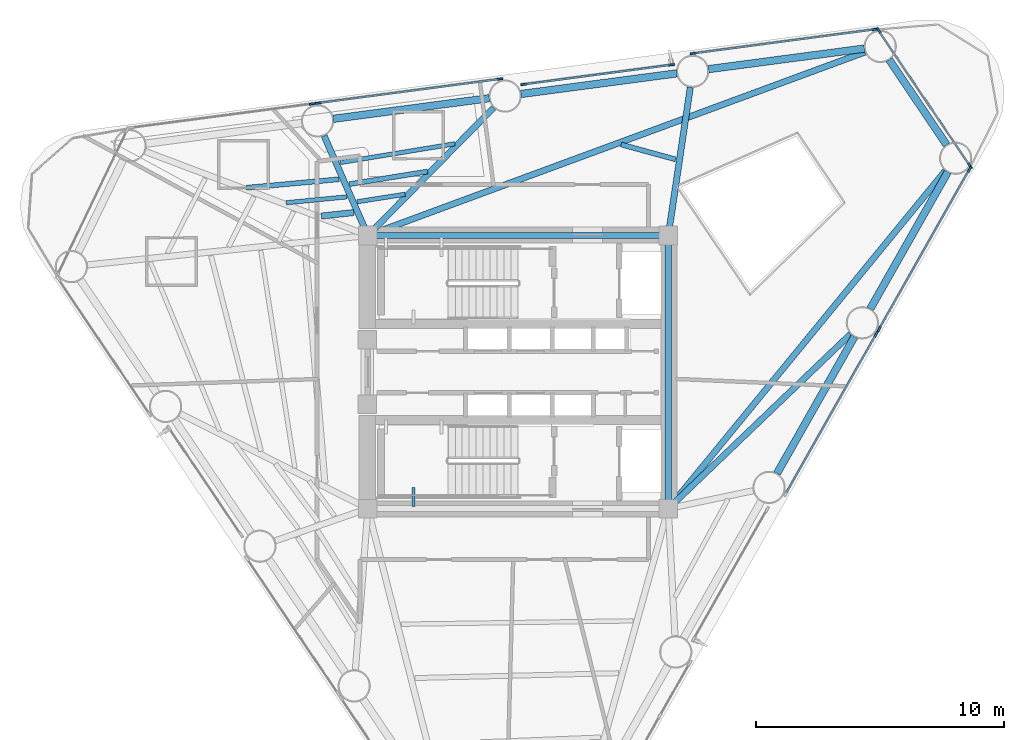
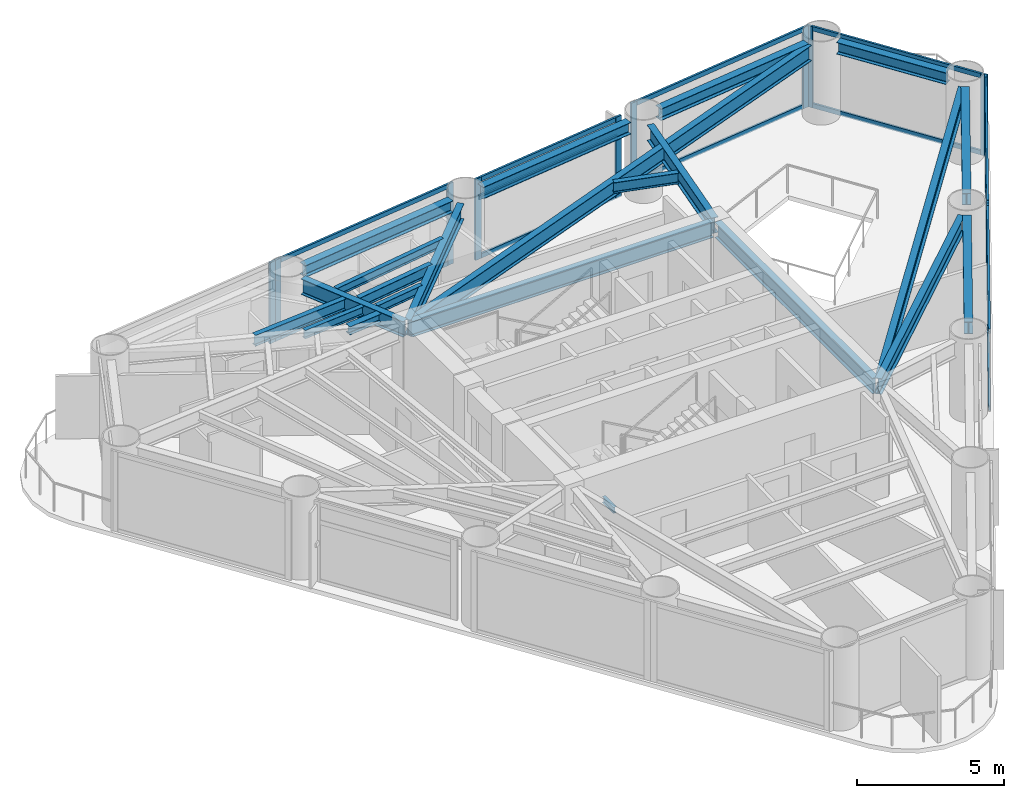
# One storey, part 3 of 9: 25 members, 22 beams, 7 elements without a shape of their own.
"""IFC4 building model written with IfcOpenShell, lengths in metres."""

import ifcopenshell
import ifcopenshell.guid

model = None  # the IFC model being written
_history = None  # IfcOwnerHistory: only IFC2X3 demands one
_inside = {}  # id of a spatial element -> (the spatial element, [elements in it])
_under = {}  # id of a project, library or spatial element -> (it, [spatial elements below it])
_declared = {}  # id of a project -> (the project, [libraries it declares])
_typed = {}  # id of a type object -> (the type object, [elements of that type])
_made_of = {}  # id of a material, layer set ... -> (it, [elements and type objects made of it])


def new_model(schema):
    """Start an empty IFC model of exactly this schema.

    Asked for "IFC4X3", IfcOpenShell would pick the latest addendum, in which some entities
    have other attributes; the version numbers below select the first issue.
    IFC2X3 requires an IfcOwnerHistory on every rooted entity: one is made here for all.
    """
    global model, _history
    if schema == "IFC4X3":
        model = ifcopenshell.file(schema_version=(4, 3, 0, 0))
    else:
        model = ifcopenshell.file(schema=schema)
    _inside.clear()
    _under.clear()
    _declared.clear()
    _typed.clear()
    _made_of.clear()
    _history = None
    if model.schema == "IFC2X3":
        org = make("IfcOrganization", Name="unknown")
        user = make(
            "IfcPersonAndOrganization",
            ThePerson=make("IfcPerson", FamilyName="unknown"),
            TheOrganization=org,
        )
        app = make(
            "IfcApplication",
            ApplicationDeveloper=org,
            Version="unknown",
            ApplicationFullName="unknown",
            ApplicationIdentifier="unknown",
        )
        _history = make(
            "IfcOwnerHistory",
            OwningUser=user,
            OwningApplication=app,
            ChangeAction="ADDED",
            CreationDate=0,
        )
    return model


def make(cls, **values):
    """One entity of the class cls with the attributes given. An attribute that is None is left unset."""
    return model.create_entity(
        cls, **{name: value for name, value in values.items() if value is not None}
    )


def rooted(cls, **values):
    """An entity with a GlobalId (a new one), such as an element, a storey or a relation."""
    return make(cls, GlobalId=ifcopenshell.guid.new(), OwnerHistory=_history, **values)


def si_unit(unit_type, name, prefix=None):
    """IfcSIUnit, for example si_unit("LENGTHUNIT", "METRE", prefix="MILLI")."""
    return make("IfcSIUnit", UnitType=unit_type, Prefix=prefix, Name=name)


def assignment(units):
    """IfcUnitAssignment: the units of a project."""
    return None if units is None else make("IfcUnitAssignment", Units=units)


def point(xyz):
    """IfcCartesianPoint."""
    return None if xyz is None else make("IfcCartesianPoint", Coordinates=xyz)


def direction(xyz):
    """IfcDirection."""
    return None if xyz is None else make("IfcDirection", DirectionRatios=xyz)


def frame(location, z_axis=None, x_axis=None):
    """IfcAxis2Placement3D, a coordinate frame: its origin and axes. An axis left out is left unset."""
    return make(
        "IfcAxis2Placement3D",
        Location=point(location),
        Axis=direction(z_axis),
        RefDirection=direction(x_axis),
    )


def frame_2d(location, x_axis=None):
    """IfcAxis2Placement2D, a coordinate frame in the plane: its origin and x axis."""
    return make(
        "IfcAxis2Placement2D", Location=point(location), RefDirection=direction(x_axis)
    )


def origin():
    """The frame at (0, 0, 0) with its axes left unset."""
    return frame((0.0, 0.0, 0.0))


def origin_2d():
    """The frame at (0, 0) in the plane with its x axis left unset."""
    return frame_2d((0.0, 0.0))


def place(relative_to, where):
    """IfcLocalPlacement: puts the frame where relative to a parent placement (None: the world)."""
    return make(
        "IfcLocalPlacement", PlacementRelTo=relative_to, RelativePlacement=where
    )


def context(
    kind, dimensions, precision=None, world=None, true_north=None, identifier=None
):
    """IfcGeometricRepresentationContext, for example the 3D "Model" context."""
    return make(
        "IfcGeometricRepresentationContext",
        ContextIdentifier=identifier,
        ContextType=kind,
        CoordinateSpaceDimension=dimensions,
        Precision=precision,
        WorldCoordinateSystem=world,
        TrueNorth=true_north,
    )


def subcontext(parent, identifier, kind, view, scale=None):
    """IfcGeometricRepresentationSubContext, for example "Body" below "Model"."""
    return make(
        "IfcGeometricRepresentationSubContext",
        ContextIdentifier=identifier,
        ContextType=kind,
        ParentContext=parent,
        TargetScale=scale,
        TargetView=view,
    )


def project(units=None, contexts=None):
    """IfcProject with its units and contexts."""
    return rooted(
        "IfcProject",
        Name="project",
        RepresentationContexts=contexts,
        UnitsInContext=assignment(units),
    )


def spatial(cls, under=None, at=None, **own):
    """A site, building, storey or space (cls), placed at a placement, below another one or the project."""
    s = rooted(cls, ObjectPlacement=at, **own)
    if under is not None:
        _under.setdefault(under.id(), (under, []))[1].append(s)
    return s


def profile(cls, at=None, kind="AREA", **sizes):
    """A parametric profile (cls). Its sizes go by their IFC names, for example OverallWidth=200.0."""
    return make(cls, ProfileType=kind, Position=at, **sizes)


def rectangle(**sizes):
    """IfcRectangleProfileDef."""
    return profile("IfcRectangleProfileDef", **sizes)


def i_section(**sizes):
    """IfcIShapeProfileDef."""
    return profile("IfcIShapeProfileDef", **sizes)


def extrude(swept, where, along, depth):
    """IfcExtrudedAreaSolid: the profile swept, set in the frame where, extruded along a direction by depth."""
    return make(
        "IfcExtrudedAreaSolid",
        SweptArea=swept,
        Position=where,
        ExtrudedDirection=direction(along),
        Depth=depth,
    )


def shape(context_of_items, identifier, shape_type, items):
    """IfcShapeRepresentation: the items that make up one representation, for example the "Body"."""
    return make(
        "IfcShapeRepresentation",
        ContextOfItems=context_of_items,
        RepresentationIdentifier=identifier,
        RepresentationType=shape_type,
        Items=items,
    )


def source(mapping_origin, context_of_items, identifier, shape_type, items):
    """IfcRepresentationMap: a shape defined once, which mapped items show again and again."""
    return make(
        "IfcRepresentationMap",
        MappingOrigin=mapping_origin,
        MappedRepresentation=shape(context_of_items, identifier, shape_type, items),
    )


def transform(
    local_origin,
    x_axis=None,
    y_axis=None,
    z_axis=None,
    scale=None,
    scale2=None,
    scale3=None,
    uniform=True,
):
    """IfcCartesianTransformationOperator3D, or its non-uniform kind. x_axis, y_axis, z_axis: its Axis1, 2, 3."""
    if uniform:
        return make(
            "IfcCartesianTransformationOperator3D",
            Axis1=direction(x_axis),
            Axis2=direction(y_axis),
            LocalOrigin=point(local_origin),
            Scale=scale,
            Axis3=direction(z_axis),
        )
    return make(
        "IfcCartesianTransformationOperator3DnonUniform",
        Axis1=direction(x_axis),
        Axis2=direction(y_axis),
        LocalOrigin=point(local_origin),
        Scale=scale,
        Axis3=direction(z_axis),
        Scale2=scale2,
        Scale3=scale3,
    )


def mapped(mapping_source, mapping_target):
    """IfcMappedItem: shows the shape of a source again, moved by a transform."""
    return make(
        "IfcMappedItem", MappingSource=mapping_source, MappingTarget=mapping_target
    )


def material(Name=None, Category=None):
    """IfcMaterial."""
    return make("IfcMaterial", Name=Name, Category=Category)


def layer(
    of_material, thickness, ventilated=None, Name=None, Category=None, Priority=None
):
    """IfcMaterialLayer: one layer of a wall or slab, of a material (None: an air gap)."""
    return make(
        "IfcMaterialLayer",
        Material=of_material,
        LayerThickness=thickness,
        IsVentilated=ventilated,
        Name=Name,
        Category=Category,
        Priority=Priority,
    )


def layer_set(layers, Name=None):
    """IfcMaterialLayerSet."""
    return make("IfcMaterialLayerSet", MaterialLayers=layers, LayerSetName=Name)


def material_profile(
    of_material, cross_section, Name=None, Category=None, Priority=None
):
    """IfcMaterialProfile: a cross section and its material."""
    return make(
        "IfcMaterialProfile",
        Name=Name,
        Material=of_material,
        Profile=cross_section,
        Priority=Priority,
        Category=Category,
    )


def profile_set(profiles, Name=None, composite=None):
    """IfcMaterialProfileSet."""
    return make(
        "IfcMaterialProfileSet",
        Name=Name,
        MaterialProfiles=profiles,
        CompositeProfile=composite,
    )


def made_of(thing, what):
    """Note that an element or type object is made of a material, layer set ...; save() writes the relation."""
    if what is not None:
        _made_of.setdefault(what.id(), (what, []))[1].append(thing)
    return thing


def type_object(cls, material=None, **own):
    """A type object (cls), such as IfcWallType, which elements share."""
    return made_of(rooted(cls, **own), material)


def element(
    cls,
    number,
    at=None,
    inside=None,
    cuts=None,
    type_object=None,
    material=None,
    context=None,
    identifier="Body",
    shape_type=None,
    held_by="IfcProductDefinitionShape",
    body=None,
    shapes=None,
    **own,
):
    """One element of the class cls, such as IfcWall. Its Tag is "e" and its number.

    at: its placement. inside: the storey or other place that contains it. cuts: it is an
    opening in that element (IfcRelVoidsElement). A single representation is given by context,
    identifier, shape_type and body (its items); several are given by shapes. held_by: the class
    of the entity that holds the representations. save() writes the other relations.
    """
    e = rooted(cls, Tag="e%d" % number, ObjectPlacement=at, **own)
    if body is not None:
        shapes = [shape(context, identifier, shape_type, body)]
    if shapes is not None:
        e.Representation = make(held_by, Representations=shapes)
    if inside is not None:
        _inside.setdefault(inside.id(), (inside, []))[1].append(e)
    if cuts is not None:
        rooted(
            "IfcRelVoidsElement", RelatingBuildingElement=cuts, RelatedOpeningElement=e
        )
    if type_object is not None:
        _typed.setdefault(type_object.id(), (type_object, []))[1].append(e)
    return made_of(e, material)


def aggregate(whole, parts):
    """IfcRelAggregates: a whole, such as a stair, and the parts it consists of."""
    return rooted("IfcRelAggregates", RelatingObject=whole, RelatedObjects=parts)


def save(model, path):
    """Write the relations noted so far, then the file.

    IfcRelAggregates (storeys below a building ...), IfcRelContainedInSpatialStructure (elements
    in a storey), IfcRelDefinesByType, IfcRelAssociatesMaterial and IfcRelDeclares: one each for
    every whole, place, type object, material and project.
    """
    for whole, parts in _under.values():
        aggregate(whole, parts)
    for where, things in _inside.values():
        rooted(
            "IfcRelContainedInSpatialStructure",
            RelatedElements=things,
            RelatingStructure=where,
        )
    for kind, things in _typed.values():
        rooted("IfcRelDefinesByType", RelatedObjects=things, RelatingType=kind)
    for what, things in _made_of.values():
        rooted("IfcRelAssociatesMaterial", RelatedObjects=things, RelatingMaterial=what)
    for by, libraries in _declared.values():
        rooted("IfcRelDeclares", RelatingContext=by, RelatedDefinitions=libraries)
    model.write(path)


model = new_model("IFC4")

# Units and contexts
model_context = context("Model", 3, precision=1e-05, world=origin(), true_north=direction((0.0, 1.0)))
body_context = subcontext(model_context, "Body", "Model", "MODEL_VIEW")
ifc_project = project(units=[si_unit("LENGTHUNIT", "METRE"), si_unit("AREAUNIT", "SQUARE_METRE"), si_unit("VOLUMEUNIT", "CUBIC_METRE"), si_unit("PLANEANGLEUNIT", "RADIAN"), si_unit("MASSUNIT", "GRAM", prefix="KILO")], contexts=[model_context])

# Site, building, storey
site_placement = place(None, origin())
site = spatial("IfcSite", under=ifc_project, at=site_placement, CompositionType="ELEMENT")
building_placement = place(site_placement, origin())
building = spatial("IfcBuilding", under=site, at=building_placement, Name="Yunling Apex Tower", CompositionType="ELEMENT")
storey_placement = place(building_placement, frame((0.0, 0.0, 169.10009765625)))
storey = spatial("IfcBuildingStorey", under=building, at=storey_placement, Name="L41", CompositionType="ELEMENT", Elevation=169.10009765625)

# Beams
ifc_material_1 = material(Name="Steel Q355B", Category="steel")
ifc_material_profile_1 = material_profile(ifc_material_1, i_section(OverallWidth=0.125, OverallDepth=0.25, WebThickness=0.006103515625, FlangeThickness=0.009033203125, FilletRadius=0.011962890625, at=origin_2d()))
ifc_profile_set_1 = profile_set([ifc_material_profile_1], Name="Steel Q355B")
beam_type_1 = type_object("IfcBeamType", Name="BL-LNT-1", PredefinedType="LINTEL", material=ifc_profile_set_1)
shared_shape_1 = source(origin(), body_context, "Body", "SweptSolid", [
    extrude(i_section(OverallWidth=0.125, OverallDepth=0.25, WebThickness=0.006103515625, FlangeThickness=0.009033203125, FilletRadius=0.011962890625, at=origin_2d()), origin(), (0.0, 0.0, 1.0), 0.760009765625),
])
beam_1_placement = place(storey_placement, frame((-4.205078125, -5.419921875, 1.40478515625), z_axis=(0.0, 1.0, 0.0), x_axis=(-1.0, 0.0, 0.0)))
element("IfcBeam", 1, at=beam_1_placement, inside=storey, type_object=beam_type_1, Name="L41 ST-2 Landing Bearing Corbel 1-3", PredefinedType="LINTEL", context=body_context, shape_type="MappedRepresentation", body=[
    mapped(shared_shape_1, transform((0.0, 0.0, 0.0), scale=1.0)),
])
ifc_material_profile_2 = material_profile(ifc_material_1, i_section(OverallWidth=0.25, OverallDepth=0.64990234375, WebThickness=0.011962890625, FlangeThickness=0.02001953125, FilletRadius=0.02392578125, at=origin_2d()))
ifc_profile_set_2 = profile_set([ifc_material_profile_2], Name="Steel Q355B")
beam_type_2 = type_object("IfcBeamType", Name="BG-PRI-4", PredefinedType="USERDEFINED", material=ifc_profile_set_2)
shared_shape_2 = source(origin(), body_context, "Body", "SweptSolid", [
    extrude(i_section(OverallWidth=0.25, OverallDepth=0.64990234375, WebThickness=0.011962890625, FlangeThickness=0.02001953125, FilletRadius=0.02392578125, at=origin_2d()), origin(), (0.0, 0.0, 1.0), 11.7998046875),
])
beam_2_placement = place(storey_placement, frame((5.89990234375, 5.5, 2.94482421875), z_axis=(-1.0, 0.0, 0.0), x_axis=(0.0, -1.0, 0.0)))
element("IfcBeam", 2, at=beam_2_placement, inside=storey, type_object=beam_type_2, Name="L41 Core Ring Tie Beam 3", ObjectType="GIRDER", PredefinedType="USERDEFINED", context=body_context, shape_type="MappedRepresentation", body=[
    mapped(shared_shape_2, transform((0.0, 0.0, 0.0), scale=1.0)),
])
shared_shape_3 = source(origin(), body_context, "Body", "SweptSolid", [
    extrude(i_section(OverallWidth=0.25, OverallDepth=0.64990234375, WebThickness=0.011962890625, FlangeThickness=0.02001953125, FilletRadius=0.02392578125, at=origin_2d()), origin(), (0.0, 0.0, 1.0), 10.7001953125),
])
beam_3_placement = place(storey_placement, frame((6.050048828125, -5.35009765625, 2.94482421875), z_axis=(0.0, 1.0, 0.0), x_axis=(-1.0, 0.0, 0.0)))
element("IfcBeam", 3, at=beam_3_placement, inside=storey, type_object=beam_type_2, Name="L41 Core Ring Tie Beam 2", ObjectType="GIRDER", PredefinedType="USERDEFINED", context=body_context, shape_type="MappedRepresentation", body=[
    mapped(shared_shape_3, transform((0.0, 0.0, 0.0), scale=1.0)),
])
ifc_material_profile_3 = material_profile(ifc_material_1, i_section(OverallWidth=0.300048828125, OverallDepth=0.489990234375, WebThickness=0.010986328125, FlangeThickness=0.01806640625, FilletRadius=0.02197265625, at=origin_2d()))
ifc_profile_set_3 = profile_set([ifc_material_profile_3], Name="Steel Q355B")
beam_type_3 = type_object("IfcBeamType", Name="BP-SPN-2", PredefinedType="SPANDREL", material=ifc_profile_set_3)
shared_shape_4 = source(origin(), body_context, "Body", "SweptSolid", [
    extrude(i_section(OverallWidth=0.300048828125, OverallDepth=0.489990234375, WebThickness=0.010986328125, FlangeThickness=0.01806640625, FilletRadius=0.02197265625, at=origin_2d()), origin(), (0.0, 0.0, 1.0), 6.332763671875),
])
beam_4_placement = place(storey_placement, frame((10.426513671875, -4.087646484375, 3.02490234375), z_axis=(0.493042725972, 0.870005097897, 0.0), x_axis=(-0.870005097897, 0.493042725972, 0.0)))
element("IfcBeam", 4, at=beam_4_placement, inside=storey, type_object=beam_type_3, Name="L41 Perimeter Spandrel Beam 3", PredefinedType="SPANDREL", context=body_context, shape_type="MappedRepresentation", body=[
    mapped(shared_shape_4, transform((0.0, 0.0, 0.0), scale=1.0)),
])
shared_shape_5 = source(origin(), body_context, "Body", "SweptSolid", [
    extrude(i_section(OverallWidth=0.300048828125, OverallDepth=0.489990234375, WebThickness=0.010986328125, FlangeThickness=0.01806640625, FilletRadius=0.02197265625, at=origin_2d()), origin(), (0.0, 0.0, 1.0), 6.33251953125),
])
for number, where, z_axis, x_axis, name in (
    (5, (14.183837890625, 2.54248046875, 3.02490234375), (0.493030081742, 0.870012263418, 0.0), (-0.870012263418, 0.493030081742, 0.0), "L41 Perimeter Spandrel Beam 4"),
    (6, (13.948486328125, 13.029541015625, 3.02490234375), (-0.991351373324, -0.131234349957, 0.0), (0.131234349957, -0.991351373324, 0.0), "L41 Perimeter Spandrel Beam 6"),
    (7, (6.393798828125, 12.029541015625, 3.02490234375), (-0.991351373324, -0.131234349957, 0.0), (0.131234349957, -0.991351373324, 0.0), "L41 Perimeter Spandrel Beam 7"),
    (8, (-1.160888671875, 11.029541015625, 3.02490234375), (-0.991356388343, -0.131196460665, 0.0), (0.131196460665, -0.991356388343, 0.0), "L41 Perimeter Spandrel Beam 8"),
):
    element("IfcBeam", number, at=place(storey_placement, frame(where, z_axis=z_axis, x_axis=x_axis)), inside=storey, type_object=beam_type_3, Name=name, PredefinedType="SPANDREL", context=body_context, shape_type="MappedRepresentation", body=[
        mapped(shared_shape_5, transform((0.0, 0.0, 0.0), scale=1.0)),
    ])
shared_shape_6 = source(origin(), body_context, "Body", "SweptSolid", [
    extrude(i_section(OverallWidth=0.300048828125, OverallDepth=0.489990234375, WebThickness=0.010986328125, FlangeThickness=0.01806640625, FilletRadius=0.02197265625, at=origin_2d()), origin(), (0.0, 0.0, 1.0), 4.142333984375),
])
beam_5_placement = place(storey_placement, frame((17.263427734375, 9.14599609375, 3.02490234375), z_axis=(-0.559207616177, 0.829027648519, 0.0), x_axis=(-0.829027648519, -0.559207616177, 0.0)))
element("IfcBeam", 9, at=beam_5_placement, inside=storey, type_object=beam_type_3, Name="L41 Perimeter Spandrel Beam 5", PredefinedType="SPANDREL", context=body_context, shape_type="MappedRepresentation", body=[
    mapped(shared_shape_6, transform((0.0, 0.0, 0.0), scale=1.0)),
])
shared_shape_7 = source(origin(), body_context, "Body", "SweptSolid", [
    extrude(i_section(OverallWidth=0.25, OverallDepth=0.64990234375, WebThickness=0.011962890625, FlangeThickness=0.02001953125, FilletRadius=0.02392578125, at=origin_2d()), origin(), (0.0, 0.0, 1.0), 10.08203125),
])
beam_6_placement = place(storey_placement, frame((13.39111328125, 1.527099609375, 2.94482421875), z_axis=(-0.722387273854, -0.691488703143, 0.0), x_axis=(0.691488703143, -0.722387273854, 0.0)))
element("IfcBeam", 10, at=beam_6_placement, inside=storey, type_object=beam_type_2, Name="L41 Radial Primary Girder R04", ObjectType="GIRDER", PredefinedType="USERDEFINED", context=body_context, shape_type="MappedRepresentation", body=[
    mapped(shared_shape_7, transform((0.0, 0.0, 0.0), scale=1.0)),
])
shared_shape_8 = source(origin(), body_context, "Body", "SweptSolid", [
    extrude(i_section(OverallWidth=0.25, OverallDepth=0.64990234375, WebThickness=0.011962890625, FlangeThickness=0.02001953125, FilletRadius=0.02392578125, at=origin_2d()), origin(), (0.0, 0.0, 1.0), 17.512939453125),
])
beam_7_placement = place(storey_placement, frame((17.206298828125, 8.103271484375, 2.94482421875), z_axis=(-0.634143770781, -0.773215156331, 0.0), x_axis=(0.773215156331, -0.634143770781, 0.0)))
element("IfcBeam", 11, at=beam_7_placement, inside=storey, type_object=beam_type_2, Name="L41 Radial Primary Girder R05", ObjectType="GIRDER", PredefinedType="USERDEFINED", context=body_context, shape_type="MappedRepresentation", body=[
    mapped(shared_shape_8, transform((0.0, 0.0, 0.0), scale=1.0)),
])
shared_shape_9 = source(origin(), body_context, "Body", "SweptSolid", [
    extrude(i_section(OverallWidth=0.25, OverallDepth=0.64990234375, WebThickness=0.011962890625, FlangeThickness=0.02001953125, FilletRadius=0.02392578125, at=origin_2d()), origin(), (0.0, 0.0, 1.0), 21.258544921875),
])
beam_8_placement = place(storey_placement, frame((13.969482421875, 12.88623046875, 2.94482421875), z_axis=(-0.938179289615, -0.346149708274, 0.0), x_axis=(0.346149708274, -0.938179289615, 0.0)))
element("IfcBeam", 12, at=beam_8_placement, inside=storey, type_object=beam_type_2, Name="L41 Radial Primary Girder R06", ObjectType="GIRDER", PredefinedType="USERDEFINED", context=body_context, shape_type="MappedRepresentation", body=[
    mapped(shared_shape_9, transform((0.0, 0.0, 0.0), scale=1.0)),
])
shared_shape_10 = source(origin(), body_context, "Body", "SweptSolid", [
    extrude(i_section(OverallWidth=0.25, OverallDepth=0.64990234375, WebThickness=0.011962890625, FlangeThickness=0.02001953125, FilletRadius=0.02392578125, at=origin_2d()), origin(), (0.0, 0.0, 1.0), 5.948486328125),
])
beam_9_placement = place(storey_placement, frame((6.935546875, 11.463134765625, 2.94482421875), z_axis=(-0.146889273353, -0.989152941346, 0.0), x_axis=(0.989152941346, -0.146889273353, 0.0)))
element("IfcBeam", 13, at=beam_9_placement, inside=storey, type_object=beam_type_2, Name="L41 Radial Primary Girder R07", ObjectType="GIRDER", PredefinedType="USERDEFINED", context=body_context, shape_type="MappedRepresentation", body=[
    mapped(shared_shape_10, transform((0.0, 0.0, 0.0), scale=1.0)),
])
shared_shape_11 = source(origin(), body_context, "Body", "SweptSolid", [
    extrude(i_section(OverallWidth=0.25, OverallDepth=0.64990234375, WebThickness=0.011962890625, FlangeThickness=0.02001953125, FilletRadius=0.02392578125, at=origin_2d()), origin(), (0.0, 0.0, 1.0), 7.140625),
])
beam_10_placement = place(storey_placement, frame((-0.984130859375, 10.645263671875, 2.94482421875), z_axis=(-0.701580749748, -0.712589960344, 0.0), x_axis=(0.712589960344, -0.701580749748, 0.0)))
element("IfcBeam", 14, at=beam_10_placement, inside=storey, type_object=beam_type_2, Name="L41 Radial Primary Girder R08", ObjectType="GIRDER", PredefinedType="USERDEFINED", context=body_context, shape_type="MappedRepresentation", body=[
    mapped(shared_shape_11, transform((0.0, 0.0, 0.0), scale=1.0)),
])
shared_shape_12 = source(origin(), body_context, "Body", "SweptSolid", [
    extrude(i_section(OverallWidth=0.25, OverallDepth=0.64990234375, WebThickness=0.011962890625, FlangeThickness=0.02001953125, FilletRadius=0.02392578125, at=origin_2d()), origin(), (0.0, 0.0, 1.0), 4.3017578125),
])
beam_11_placement = place(storey_placement, frame((-7.8125, 9.51171875, 2.94482421875), z_axis=(0.402211714237, -0.915546687466, 0.0), x_axis=(0.915546687466, 0.402211714237, 0.0)))
element("IfcBeam", 15, at=beam_11_placement, inside=storey, type_object=beam_type_2, Name="L41 Radial Primary Girder R09", ObjectType="GIRDER", PredefinedType="USERDEFINED", context=body_context, shape_type="MappedRepresentation", body=[
    mapped(shared_shape_12, transform((0.0, 0.0, 0.0), scale=1.0)),
])
ifc_material_profile_4 = material_profile(ifc_material_1, i_section(OverallWidth=0.199951171875, OverallDepth=0.449951171875, WebThickness=0.009033203125, FlangeThickness=0.013916015625, FilletRadius=0.01806640625, at=origin_2d()))
ifc_profile_set_4 = profile_set([ifc_material_profile_4], Name="Steel Q355B")
beam_type_4 = type_object("IfcBeamType", Name="BS-SEC-3", PredefinedType="BEAM", material=ifc_profile_set_4)
shared_shape_13 = source(origin(), body_context, "Body", "SweptSolid", [
    extrude(i_section(OverallWidth=0.199951171875, OverallDepth=0.449951171875, WebThickness=0.009033203125, FlangeThickness=0.013916015625, FilletRadius=0.01806640625, at=origin_2d()), origin(), (0.0, 0.0, 1.0), 2.2734375),
])
beam_12_placement = place(storey_placement, frame((4.151611328125, 9.16455078125, 3.044921875), z_axis=(0.964418538673, -0.264380185081, 0.0), x_axis=(0.264380185081, 0.964418538673, 0.0)))
element("IfcBeam", 16, at=beam_12_placement, inside=storey, type_object=beam_type_4, Name="L41 Composite Floor Beam BS-6", PredefinedType="BEAM", context=body_context, shape_type="MappedRepresentation", body=[
    mapped(shared_shape_13, transform((0.0, 0.0, 0.0), scale=1.0)),
])
shared_shape_14 = source(origin(), body_context, "Body", "SweptSolid", [
    extrude(i_section(OverallWidth=0.199951171875, OverallDepth=0.449951171875, WebThickness=0.009033203125, FlangeThickness=0.013916015625, FilletRadius=0.01806640625, at=origin_2d()), origin(), (0.0, 0.0, 1.0), 3.18310546875),
])
beam_13_placement = place(storey_placement, frame((-3.64697265625, 8.07568359375, 3.044921875), z_axis=(-0.987204533881, -0.159459111642, 0.0), x_axis=(0.159459111642, -0.987204533881, 0.0)))
element("IfcBeam", 17, at=beam_13_placement, inside=storey, type_object=beam_type_4, Name="L41 Composite Floor Beam BS-8", PredefinedType="BEAM", context=body_context, shape_type="MappedRepresentation", body=[
    mapped(shared_shape_14, transform((0.0, 0.0, 0.0), scale=1.0)),
])
ifc_material_profile_5 = material_profile(ifc_material_1, i_section(OverallWidth=0.175048828125, OverallDepth=0.35009765625, WebThickness=0.007080078125, FlangeThickness=0.010986328125, FilletRadius=0.013916015625, at=origin_2d()))
ifc_profile_set_5 = profile_set([ifc_material_profile_5], Name="Steel Q355B")
beam_type_5 = type_object("IfcBeamType", Name="BJ-JST-1", PredefinedType="JOIST", material=ifc_profile_set_5)
shared_shape_15 = source(origin(), body_context, "Body", "SweptSolid", [
    extrude(i_section(OverallWidth=0.175048828125, OverallDepth=0.35009765625, WebThickness=0.007080078125, FlangeThickness=0.010986328125, FilletRadius=0.013916015625, at=origin_2d()), origin(), (0.0, 0.0, 1.0), 4.6875),
])
beam_14_placement = place(storey_placement, frame((-2.544677734375, 9.194580078125, 3.094970703125), z_axis=(-0.986776909696, -0.162084331414, 0.0), x_axis=(0.162084331414, -0.986776909696, 0.0)))
element("IfcBeam", 18, at=beam_14_placement, inside=storey, type_object=beam_type_5, Name="L41 Composite Floor Joist BJ1-8", PredefinedType="JOIST", context=body_context, shape_type="MappedRepresentation", body=[
    mapped(shared_shape_15, transform((0.0, 0.0, 0.0), scale=1.0)),
])
shared_shape_16 = source(origin(), body_context, "Body", "SweptSolid", [
    extrude(i_section(OverallWidth=0.175048828125, OverallDepth=0.35009765625, WebThickness=0.007080078125, FlangeThickness=0.010986328125, FilletRadius=0.013916015625, at=origin_2d()), origin(), (0.0, 0.0, 1.0), 1.952392578125),
])
beam_15_placement = place(storey_placement, frame((-4.548828125, 7.160400390625, 3.094970703125), z_axis=(-0.98796490296, -0.154678216044, 0.0), x_axis=(0.154678216044, -0.98796490296, 0.0)))
element("IfcBeam", 19, at=beam_15_placement, inside=storey, type_object=beam_type_5, Name="L41 Composite Floor Joist BJ3-8", PredefinedType="JOIST", context=body_context, shape_type="MappedRepresentation", body=[
    mapped(shared_shape_16, transform((0.0, 0.0, 0.0), scale=1.0)),
])
shared_shape_17 = source(origin(), body_context, "Body", "SweptSolid", [
    extrude(i_section(OverallWidth=0.199951171875, OverallDepth=0.449951171875, WebThickness=0.009033203125, FlangeThickness=0.013916015625, FilletRadius=0.01806640625, at=origin_2d()), origin(), (0.0, 0.0, 1.0), 3.749755859375),
])
beam_16_placement = place(storey_placement, frame((-7.21044921875, 7.76416015625, 3.044921875), z_axis=(-0.995801444966, -0.091539511711, 0.0), x_axis=(0.091539511711, -0.995801444966, 0.0)))
element("IfcBeam", 20, at=beam_16_placement, inside=storey, type_object=beam_type_4, Name="L41 Composite Floor Beam BS-9", PredefinedType="BEAM", context=body_context, shape_type="MappedRepresentation", body=[
    mapped(shared_shape_17, transform((0.0, 0.0, 0.0), scale=1.0)),
])
shared_shape_18 = source(origin(), body_context, "Body", "SweptSolid", [
    extrude(i_section(OverallWidth=0.175048828125, OverallDepth=0.35009765625, WebThickness=0.007080078125, FlangeThickness=0.010986328125, FilletRadius=0.013916015625, at=origin_2d()), origin(), (0.0, 0.0, 1.0), 2.456787109375),
])
beam_17_placement = place(storey_placement, frame((-6.89892578125, 7.054443359375, 3.094970703125), z_axis=(-0.995362299538, -0.096197155147, 0.0), x_axis=(0.096197155147, -0.995362299538, 0.0)))
element("IfcBeam", 21, at=beam_17_placement, inside=storey, type_object=beam_type_5, Name="L41 Composite Floor Joist BJ3-9", PredefinedType="JOIST", context=body_context, shape_type="MappedRepresentation", body=[
    mapped(shared_shape_18, transform((0.0, 0.0, 0.0), scale=1.0)),
])
ifc_material_profile_6 = material_profile(ifc_material_1, i_section(OverallWidth=0.25, OverallDepth=0.340087890625, WebThickness=0.009033203125, FlangeThickness=0.013916015625, FilletRadius=0.01806640625, at=origin_2d()))
ifc_profile_set_6 = profile_set([ifc_material_profile_6], Name="Steel Q355B")
beam_type_6 = type_object("IfcBeamType", Name="BJ-JST-2", PredefinedType="JOIST", material=ifc_profile_set_6)
shared_shape_19 = source(origin(), body_context, "Body", "SweptSolid", [
    extrude(i_section(OverallWidth=0.25, OverallDepth=0.340087890625, WebThickness=0.009033203125, FlangeThickness=0.013916015625, FilletRadius=0.01806640625, at=origin_2d()), origin(), (0.0, 0.0, 1.0), 1.307373046875),
])
beam_18_placement = place(storey_placement, frame((-6.6220703125, 6.422607421875, 3.099853515625), z_axis=(-0.994297843948, -0.106638630521, 0.0), x_axis=(0.106638630521, -0.994297843948, 0.0)))
element("IfcBeam", 22, at=beam_18_placement, inside=storey, type_object=beam_type_6, Name="L41 Composite Floor Joist BJ2-9", PredefinedType="JOIST", context=body_context, shape_type="MappedRepresentation", body=[
    mapped(shared_shape_19, transform((0.0, 0.0, 0.0), scale=1.0)),
])

# Curtain wall, member
ifc_material_2 = material(Name="Bronze anodised aluminium", Category="aluminium")
ifc_layer = layer(ifc_material_2, 0.239990234375)
ifc_layer_set = layer_set([ifc_layer], Name="Bronze anodised aluminium")
curtain_wall_type = type_object("IfcCurtainWallType", Name="CW-SYS-3", PredefinedType="NOTDEFINED", material=ifc_layer_set)
curtain_wall_1_placement = place(storey_placement, origin())
curtain_wall_1 = element("IfcCurtainWall", 23, at=curtain_wall_1_placement, inside=storey, type_object=curtain_wall_type, Name="CW-L41-F1-B3", PredefinedType="NOTDEFINED")
ifc_material_profile_7 = material_profile(ifc_material_2, rectangle(XDim=0.080078125, YDim=0.239990234375, at=origin_2d()))
ifc_profile_set_7 = profile_set([ifc_material_profile_7], Name="Bronze anodised aluminium")
member_type_1 = type_object("IfcMemberType", Name="CW-MUL-3", PredefinedType="MULLION", material=ifc_profile_set_7)
shared_shape_20 = source(origin(), body_context, "Body", "SweptSolid", [
    extrude(rectangle(XDim=0.080078125, YDim=0.239990234375, at=origin_2d()), origin(), (0.0, 0.0, 1.0), 3.369873046875),
])
member_1_placement = place(storey_placement, frame((14.4248046875, 1.527587890625, -0.050048828125), z_axis=(0.0, 0.0, 1.0), x_axis=(-0.870009345679, 0.493035230416, 0.0)))
member_1 = element("IfcMember", 24, at=member_1_placement, type_object=member_type_1, Name="CW-SYS-3 mullion 2", PredefinedType="MULLION", context=body_context, shape_type="MappedRepresentation", body=[
    mapped(shared_shape_20, transform((0.0, 0.0, 0.0), scale=1.0)),
])

# Curtain wall, members
curtain_wall_2_placement = place(storey_placement, origin())
curtain_wall_2 = element("IfcCurtainWall", 25, at=curtain_wall_2_placement, inside=storey, type_object=curtain_wall_type, Name="CW-L41-F1-B4", PredefinedType="NOTDEFINED")
member_2_placement = place(storey_placement, frame((14.543212890625, 1.736572265625, -0.050048828125), z_axis=(0.0, 0.0, 1.0), x_axis=(-0.870006087438, 0.493040979859, 0.0)))
member_2 = element("IfcMember", 26, at=member_2_placement, type_object=member_type_1, Name="CW-SYS-3 mullion 1", PredefinedType="MULLION", context=body_context, shape_type="MappedRepresentation", body=[
    mapped(shared_shape_20, transform((0.0, 0.0, 0.0), scale=1.0)),
])
member_3_placement = place(storey_placement, frame((18.18212890625, 8.15771484375, -0.050048828125), z_axis=(0.0, 0.0, 1.0), x_axis=(-0.870006087438, 0.493040979859, 0.0)))
member_3 = element("IfcMember", 27, at=member_3_placement, type_object=member_type_1, Name="CW-SYS-3 mullion 2", PredefinedType="MULLION", context=body_context, shape_type="MappedRepresentation", body=[
    mapped(shared_shape_20, transform((0.0, 0.0, 0.0), scale=1.0)),
])

curtain_wall_3_placement = place(storey_placement, origin())
curtain_wall_3 = element("IfcCurtainWall", 28, at=curtain_wall_3_placement, inside=storey, type_object=curtain_wall_type, Name="CW-L41-CRN1", PredefinedType="NOTDEFINED")
member_4_placement = place(storey_placement, frame((18.201416015625, 8.30517578125, -0.050048828125), z_axis=(0.0, 0.0, 1.0), x_axis=(-0.829037677921, -0.559192747259, 0.0)))
member_4 = element("IfcMember", 29, at=member_4_placement, type_object=member_type_1, Name="CW-SYS-3 mullion 1", PredefinedType="MULLION", context=body_context, shape_type="MappedRepresentation", body=[
    mapped(shared_shape_20, transform((0.0, 0.0, 0.0), scale=1.0)),
])
member_5_placement = place(storey_placement, frame((14.518798828125, 13.764892578125, -0.050048828125), z_axis=(0.0, 0.0, 1.0), x_axis=(-0.829037677921, -0.559192747259, 0.0)))
member_5 = element("IfcMember", 30, at=member_5_placement, type_object=member_type_1, Name="CW-SYS-3 mullion 2", PredefinedType="MULLION", context=body_context, shape_type="MappedRepresentation", body=[
    mapped(shared_shape_20, transform((0.0, 0.0, 0.0), scale=1.0)),
])

curtain_wall_4_placement = place(storey_placement, origin())
curtain_wall_4 = element("IfcCurtainWall", 31, at=curtain_wall_4_placement, inside=storey, type_object=curtain_wall_type, Name="CW-L41-F2-B1", PredefinedType="NOTDEFINED")
member_6_placement = place(storey_placement, frame((14.374755859375, 13.80224609375, -0.050048828125), z_axis=(0.0, 0.0, 1.0), x_axis=(0.131222473138, -0.991352945496, 0.0)))
member_6 = element("IfcMember", 32, at=member_6_placement, type_object=member_type_1, Name="CW-SYS-3 mullion 1", PredefinedType="MULLION", context=body_context, shape_type="MappedRepresentation", body=[
    mapped(shared_shape_20, transform((0.0, 0.0, 0.0), scale=1.0)),
])
member_7_placement = place(storey_placement, frame((7.05810546875, 12.833740234375, -0.050048828125), z_axis=(0.0, 0.0, 1.0), x_axis=(0.131222473138, -0.991352945496, 0.0)))
member_7 = element("IfcMember", 33, at=member_7_placement, type_object=member_type_1, Name="CW-SYS-3 mullion 2", PredefinedType="MULLION", context=body_context, shape_type="MappedRepresentation", body=[
    mapped(shared_shape_20, transform((0.0, 0.0, 0.0), scale=1.0)),
])

curtain_wall_5_placement = place(storey_placement, origin())
curtain_wall_5 = element("IfcCurtainWall", 34, at=curtain_wall_5_placement, inside=storey, type_object=curtain_wall_type, Name="CW-L41-F2-B2", PredefinedType="NOTDEFINED")
member_8_placement = place(storey_placement, frame((6.1806640625, 12.37451171875, -0.050048828125), z_axis=(0.0, 0.0, 1.0), x_axis=(0.131204916036, -0.99135526932, 0.0)))
member_8 = element("IfcMember", 35, at=member_8_placement, type_object=member_type_1, Name="CW-SYS-3 mullion 1", PredefinedType="MULLION", context=body_context, shape_type="MappedRepresentation", body=[
    mapped(shared_shape_20, transform((0.0, 0.0, 0.0), scale=1.0)),
])
member_9_placement = place(storey_placement, frame((0.23193359375, 11.587158203125, -0.050048828125), z_axis=(0.0, 0.0, 1.0), x_axis=(0.131204916036, -0.99135526932, 0.0)))
member_9 = element("IfcMember", 36, at=member_9_placement, type_object=member_type_1, Name="CW-SYS-3 mullion 2", PredefinedType="MULLION", context=body_context, shape_type="MappedRepresentation", body=[
    mapped(shared_shape_20, transform((0.0, 0.0, 0.0), scale=1.0)),
])

curtain_wall_6_placement = place(storey_placement, origin())
curtain_wall_6 = element("IfcCurtainWall", 37, at=curtain_wall_6_placement, inside=storey, type_object=curtain_wall_type, Name="CW-L41-F2-B3", PredefinedType="NOTDEFINED")
member_10_placement = place(storey_placement, frame((-0.734619140625, 11.80224609375, -0.050048828125), z_axis=(0.0, 0.0, 1.0), x_axis=(0.13120930019, -0.991354689071, 0.0)))
member_10 = element("IfcMember", 38, at=member_10_placement, type_object=member_type_1, Name="CW-SYS-3 mullion 1", PredefinedType="MULLION", context=body_context, shape_type="MappedRepresentation", body=[
    mapped(shared_shape_20, transform((0.0, 0.0, 0.0), scale=1.0)),
])
member_11_placement = place(storey_placement, frame((-8.05126953125, 10.833740234375, -0.050048828125), z_axis=(0.0, 0.0, 1.0), x_axis=(0.13120930019, -0.991354689071, 0.0)))
member_11 = element("IfcMember", 39, at=member_11_placement, type_object=member_type_1, Name="CW-SYS-3 mullion 2", PredefinedType="MULLION", context=body_context, shape_type="MappedRepresentation", body=[
    mapped(shared_shape_20, transform((0.0, 0.0, 0.0), scale=1.0)),
])

# Curtain wall, member
curtain_wall_7_placement = place(storey_placement, origin())
curtain_wall_7 = element("IfcCurtainWall", 40, at=curtain_wall_7_placement, inside=storey, type_object=curtain_wall_type, Name="CW-L41-F2-B4", PredefinedType="NOTDEFINED")
member_12_placement = place(storey_placement, frame((-8.289306640625, 10.80224609375, -0.050048828125), z_axis=(0.0, 0.0, 1.0), x_axis=(0.131222473138, -0.991352945496, 0.0)))
member_12 = element("IfcMember", 41, at=member_12_placement, type_object=member_type_1, Name="CW-SYS-3 mullion 1", PredefinedType="MULLION", context=body_context, shape_type="MappedRepresentation", body=[
    mapped(shared_shape_20, transform((0.0, 0.0, 0.0), scale=1.0)),
])
aggregate(curtain_wall_7, [member_12])

# Member
ifc_material_profile_8 = material_profile(ifc_material_2, rectangle(XDim=0.080078125, YDim=0.18505859375, at=origin_2d()))
ifc_profile_set_8 = profile_set([ifc_material_profile_8], Name="Bronze anodised aluminium")
member_type_2 = type_object("IfcMemberType", Name="CW-TRN-3", PredefinedType="USERDEFINED", material=ifc_profile_set_8)
shared_shape_21 = source(origin(), body_context, "Body", "SweptSolid", [
    extrude(rectangle(XDim=0.080078125, YDim=0.18505859375, at=origin_2d()), origin(), (0.0, 0.0, 1.0), 5.9287109375),
])
member_13_placement = place(storey_placement, frame((6.14501953125, 12.369873046875, 0.039794921875), z_axis=(-0.991356183804, -0.131198006214, 0.0), x_axis=(0.131198006214, -0.991356183804, 0.0)))
member_13 = element("IfcMember", 42, at=member_13_placement, type_object=member_type_2, Name="CW-SYS-3 transom 1.1", ObjectType="TRANSOM", PredefinedType="USERDEFINED", context=body_context, shape_type="MappedRepresentation", body=[
    mapped(shared_shape_21, transform((0.0, 0.0, 0.0), scale=1.0)),
])

member_14_placement = place(storey_placement, frame((6.14501953125, 12.369873046875, 2.485107421875), z_axis=(-0.991356183804, -0.131198006214, 0.0), x_axis=(0.131198006214, -0.991356183804, 0.0)))
member_14 = element("IfcMember", 43, at=member_14_placement, type_object=member_type_2, Name="CW-SYS-3 transom 1.2", ObjectType="TRANSOM", PredefinedType="USERDEFINED", context=body_context, shape_type="MappedRepresentation", body=[
    mapped(shared_shape_21, transform((0.0, 0.0, 0.0), scale=1.0)),
])

member_15_placement = place(storey_placement, frame((6.14501953125, 12.369873046875, 3.22998046875), z_axis=(-0.991356183804, -0.131198006214, 0.0), x_axis=(0.131198006214, -0.991356183804, 0.0)))
member_15 = element("IfcMember", 44, at=member_15_placement, type_object=member_type_2, Name="CW-SYS-3 transom 1.3", ObjectType="TRANSOM", PredefinedType="USERDEFINED", context=body_context, shape_type="MappedRepresentation", body=[
    mapped(shared_shape_21, transform((0.0, 0.0, 0.0), scale=1.0)),
])

aggregate(curtain_wall_5, [member_8, member_9, member_13, member_14, member_15])

shared_shape_22 = source(origin(), body_context, "Body", "SweptSolid", [
    extrude(rectangle(XDim=0.080078125, YDim=0.18505859375, at=origin_2d()), origin(), (0.0, 0.0, 1.0), 7.308837890625),
])
member_16_placement = place(storey_placement, frame((10.8037109375, -4.8623046875, 0.039794921875), z_axis=(0.493042070546, 0.870005469334, 0.0), x_axis=(-0.870005469334, 0.493042070546, 0.0)))
member_16 = element("IfcMember", 45, at=member_16_placement, type_object=member_type_2, Name="CW-SYS-3 transom 1.1", ObjectType="TRANSOM", PredefinedType="USERDEFINED", context=body_context, shape_type="MappedRepresentation", body=[
    mapped(shared_shape_22, transform((0.0, 0.0, 0.0), scale=1.0)),
])

member_17_placement = place(storey_placement, frame((10.8037109375, -4.8623046875, 3.22998046875), z_axis=(0.493042070546, 0.870005469334, 0.0), x_axis=(-0.870005469334, 0.493042070546, 0.0)))
member_17 = element("IfcMember", 46, at=member_17_placement, type_object=member_type_2, Name="CW-SYS-3 transom 1.2", ObjectType="TRANSOM", PredefinedType="USERDEFINED", context=body_context, shape_type="MappedRepresentation", body=[
    mapped(shared_shape_22, transform((0.0, 0.0, 0.0), scale=1.0)),
])

aggregate(curtain_wall_1, [member_1, member_16, member_17])

member_18_placement = place(storey_placement, frame((14.560791015625, 1.767822265625, 0.039794921875), z_axis=(0.493042070546, 0.870005469334, 0.0), x_axis=(-0.870005469334, 0.493042070546, 0.0)))
member_18 = element("IfcMember", 47, at=member_18_placement, type_object=member_type_2, Name="CW-SYS-3 transom 1.1", ObjectType="TRANSOM", PredefinedType="USERDEFINED", context=body_context, shape_type="MappedRepresentation", body=[
    mapped(shared_shape_22, transform((0.0, 0.0, 0.0), scale=1.0)),
])

member_19_placement = place(storey_placement, frame((14.560791015625, 1.767822265625, 3.22998046875), z_axis=(0.493042070546, 0.870005469334, 0.0), x_axis=(-0.870005469334, 0.493042070546, 0.0)))
member_19 = element("IfcMember", 48, at=member_19_placement, type_object=member_type_2, Name="CW-SYS-3 transom 1.2", ObjectType="TRANSOM", PredefinedType="USERDEFINED", context=body_context, shape_type="MappedRepresentation", body=[
    mapped(shared_shape_22, transform((0.0, 0.0, 0.0), scale=1.0)),
])

aggregate(curtain_wall_2, [member_2, member_3, member_18, member_19])

shared_shape_23 = source(origin(), body_context, "Body", "SweptSolid", [
    extrude(rectangle(XDim=0.080078125, YDim=0.18505859375, at=origin_2d()), origin(), (0.0, 0.0, 1.0), 6.513916015625),
])
member_20_placement = place(storey_placement, frame((18.181396484375, 8.3349609375, 0.039794921875), z_axis=(-0.559206971542, 0.829028083347, 0.0), x_axis=(-0.829028083347, -0.559206971542, 0.0)))
member_20 = element("IfcMember", 49, at=member_20_placement, type_object=member_type_2, Name="CW-SYS-3 transom 1.1", ObjectType="TRANSOM", PredefinedType="USERDEFINED", context=body_context, shape_type="MappedRepresentation", body=[
    mapped(shared_shape_23, transform((0.0, 0.0, 0.0), scale=1.0)),
])

member_21_placement = place(storey_placement, frame((18.181396484375, 8.3349609375, 3.22998046875), z_axis=(-0.559206971542, 0.829028083347, 0.0), x_axis=(-0.829028083347, -0.559206971542, 0.0)))
member_21 = element("IfcMember", 50, at=member_21_placement, type_object=member_type_2, Name="CW-SYS-3 transom 1.2", ObjectType="TRANSOM", PredefinedType="USERDEFINED", context=body_context, shape_type="MappedRepresentation", body=[
    mapped(shared_shape_23, transform((0.0, 0.0, 0.0), scale=1.0)),
])

aggregate(curtain_wall_3, [member_4, member_5, member_20, member_21])

shared_shape_24 = source(origin(), body_context, "Body", "SweptSolid", [
    extrude(rectangle(XDim=0.080078125, YDim=0.18505859375, at=origin_2d()), origin(), (0.0, 0.0, 1.0), 7.30859375),
])
member_22_placement = place(storey_placement, frame((14.339111328125, 13.79736328125, 0.039794921875), z_axis=(-0.991354063091, -0.131214029714, 0.0), x_axis=(0.131214029714, -0.991354063091, 0.0)))
member_22 = element("IfcMember", 51, at=member_22_placement, type_object=member_type_2, Name="CW-SYS-3 transom 1.1", ObjectType="TRANSOM", PredefinedType="USERDEFINED", context=body_context, shape_type="MappedRepresentation", body=[
    mapped(shared_shape_24, transform((0.0, 0.0, 0.0), scale=1.0)),
])

member_23_placement = place(storey_placement, frame((14.339111328125, 13.79736328125, 3.22998046875), z_axis=(-0.991354063091, -0.131214029714, 0.0), x_axis=(0.131214029714, -0.991354063091, 0.0)))
member_23 = element("IfcMember", 52, at=member_23_placement, type_object=member_type_2, Name="CW-SYS-3 transom 1.2", ObjectType="TRANSOM", PredefinedType="USERDEFINED", context=body_context, shape_type="MappedRepresentation", body=[
    mapped(shared_shape_24, transform((0.0, 0.0, 0.0), scale=1.0)),
])

aggregate(curtain_wall_4, [member_6, member_7, member_22, member_23])

member_24_placement = place(storey_placement, frame((-0.770263671875, 11.797607421875, 0.039794921875), z_axis=(-0.991354063091, -0.131214029714, 0.0), x_axis=(0.131214029714, -0.991354063091, 0.0)))
member_24 = element("IfcMember", 53, at=member_24_placement, type_object=member_type_2, Name="CW-SYS-3 transom 1.1", ObjectType="TRANSOM", PredefinedType="USERDEFINED", context=body_context, shape_type="MappedRepresentation", body=[
    mapped(shared_shape_24, transform((0.0, 0.0, 0.0), scale=1.0)),
])

member_25_placement = place(storey_placement, frame((-0.770263671875, 11.797607421875, 3.22998046875), z_axis=(-0.991354063091, -0.131214029714, 0.0), x_axis=(0.131214029714, -0.991354063091, 0.0)))
member_25 = element("IfcMember", 54, at=member_25_placement, type_object=member_type_2, Name="CW-SYS-3 transom 1.2", ObjectType="TRANSOM", PredefinedType="USERDEFINED", context=body_context, shape_type="MappedRepresentation", body=[
    mapped(shared_shape_24, transform((0.0, 0.0, 0.0), scale=1.0)),
])

aggregate(curtain_wall_6, [member_10, member_11, member_24, member_25])

save(model, "model.ifc")
